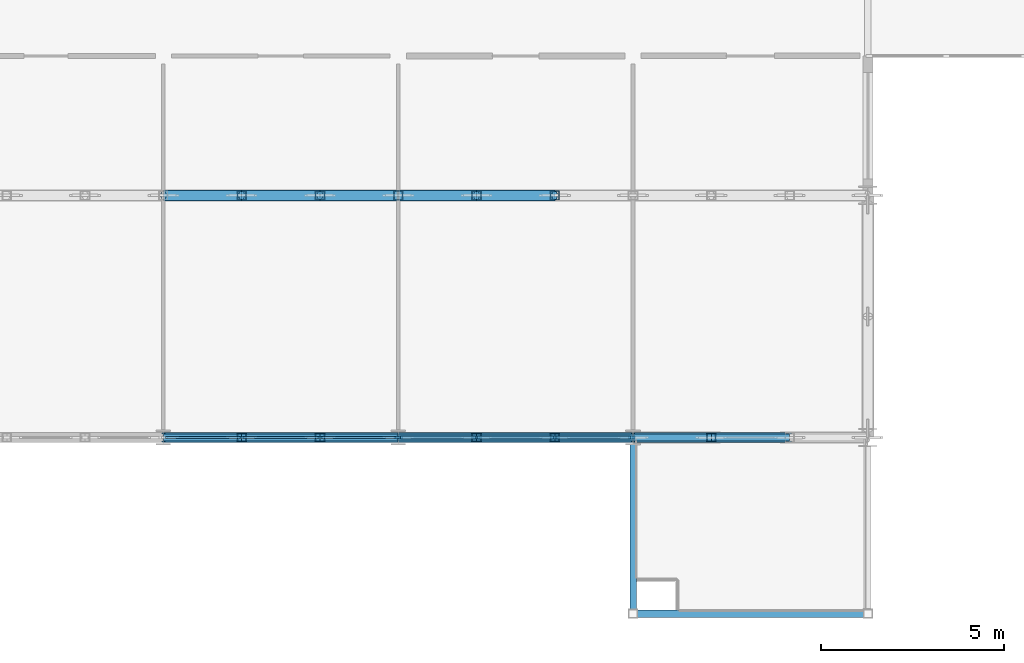
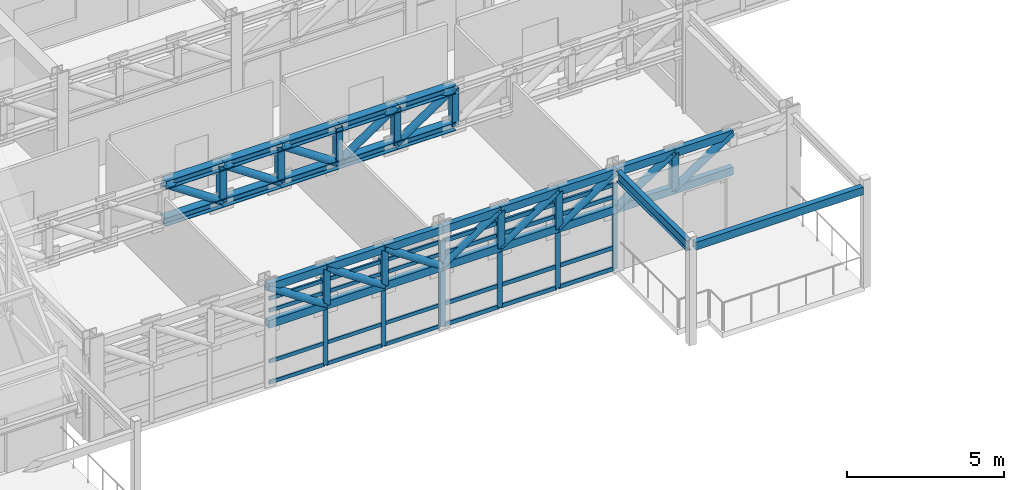
# One storey, part 64 of 144: 80 members, 2 beams, 2 elements without a shape of their own.
"""IFC4 building model written with IfcOpenShell, lengths in metres."""

from ifc_helpers import new_model, si_unit, direction, frame, origin, origin_2d, place, context, subcontext, project, spatial, rectangle, hollow_rectangle, hollow_circle, i_section, extrude, material, layer, layer_set, material_profile, profile_set, type_object, element, aggregate, save


model = new_model("IFC4")

# Units and contexts
model_context = context("Model", 3, precision=1e-05, world=origin(), true_north=direction((0.0, 1.0)))
body_context = subcontext(model_context, "Body", "Model", "MODEL_VIEW")
ifc_project = project(units=[si_unit("LENGTHUNIT", "METRE"), si_unit("AREAUNIT", "SQUARE_METRE"), si_unit("VOLUMEUNIT", "CUBIC_METRE"), si_unit("PLANEANGLEUNIT", "RADIAN"), si_unit("MASSUNIT", "GRAM", prefix="KILO")], contexts=[model_context])

# Site, building, storey
site_placement = place(None, origin())
site = spatial("IfcSite", under=ifc_project, at=site_placement, CompositionType="ELEMENT")
building_placement = place(site_placement, origin())
building = spatial("IfcBuilding", under=site, at=building_placement, Name="Trelmorton Wharf Fire Station", CompositionType="ELEMENT")
storey_placement = place(building_placement, frame((0.0, 0.0, 5.39990234375)))
storey = spatial("IfcBuildingStorey", under=building, at=storey_placement, Name="L01", CompositionType="ELEMENT", Elevation=5.39990234375)

# Beams
ifc_material_1 = material(Name="Steel Grade 350", Category="steel")
ifc_material_profile_1 = material_profile(ifc_material_1, i_section(OverallWidth=0.177978515625, OverallDepth=0.406005859375, WebThickness=0.0078125, FlangeThickness=0.0126953125, FilletRadius=0.011474609375, at=origin_2d()), Name="410UB59.7")
ifc_profile_set_1 = profile_set([ifc_material_profile_1], Name="Steel Grade 350")
beam_type_1 = type_object("IfcBeamType", Name="BM_410UB60", PredefinedType="BEAM", material=ifc_profile_set_1)
beam_1_placement = place(storey_placement, frame((77.199951171875, 3.12109375, 3.72705078125), z_axis=(0.0, 1.0, 0.0), x_axis=(-1.0, 0.0, 0.0)))
element("IfcBeam", 1, at=beam_1_placement, inside=storey, type_object=beam_type_1, Name="BM-L01-0595", PredefinedType="BEAM", context=body_context, shape_type="SweptSolid", body=[
    extrude(i_section(OverallWidth=0.177978515625, OverallDepth=0.406005859375, WebThickness=0.0078125, FlangeThickness=0.0126953125, FilletRadius=0.011474609375, at=origin_2d()), origin(), (0.0, 0.0, 1.0), 4.48291015625),
])
ifc_material_2 = material(Name="Signal-red architectural steel Grade 350", Category="steel")
ifc_material_profile_2 = material_profile(ifc_material_2, hollow_rectangle(XDim=0.199951171875, YDim=0.300048828125, WallThickness=0.012451171875, at=origin_2d()), Name="300x200x12.5RHS")
ifc_profile_set_2 = profile_set([ifc_material_profile_2], Name="Signal-red architectural steel Grade 350")
beam_type_2 = type_object("IfcBeamType", Name="BM_RED_300RHS", PredefinedType="BEAM", material=ifc_profile_set_2)
beam_2_placement = place(storey_placement, frame((77.321044921875, 3.0, 3.780029296875), z_axis=(1.0, 0.0, 0.0), x_axis=(0.0, 1.0, 0.0)))
element("IfcBeam", 2, at=beam_2_placement, inside=storey, type_object=beam_type_2, Name="BM-L01-0403", PredefinedType="BEAM", context=body_context, shape_type="SweptSolid", body=[
    extrude(hollow_rectangle(XDim=0.199951171875, YDim=0.300048828125, WallThickness=0.012451171875, at=origin_2d()), origin(), (0.0, 0.0, 1.0), 6.157958984375),
])

# Curtain wall, members
ifc_material_3 = material(Name="Anodised aluminium AW-6063", Category="aluminium")
ifc_layer = layer(ifc_material_3, 0.159912109375)
ifc_layer_set = layer_set([ifc_layer], Name="Anodised aluminium AW-6063")
curtain_wall_type = type_object("IfcCurtainWallType", Name="CW_CHIC_A", PredefinedType="USERDEFINED", material=ifc_layer_set)
curtain_wall_1_placement = place(storey_placement, origin())
curtain_wall_1 = element("IfcCurtainWall", 3, at=curtain_wall_1_placement, inside=storey, type_object=curtain_wall_type, Name="CW-V3-L01-023", ObjectType="CHICAGO BAY CURTAIN WALL", PredefinedType="USERDEFINED")
ifc_material_profile_3 = material_profile(ifc_material_3, rectangle(XDim=0.06494140625, YDim=0.159912109375, at=origin_2d()), Name="ALU-65x160")
ifc_profile_set_3 = profile_set([ifc_material_profile_3], Name="Anodised aluminium AW-6063")
member_type_1 = type_object("IfcMemberType", Name="CWM_65x160", PredefinedType="MULLION", material=ifc_profile_set_3)
member_1_placement = place(storey_placement, frame((70.764892578125, 7.800048828125, 0.0), z_axis=(0.0, 0.0, 1.0), x_axis=(0.0, -1.0, 0.0)))
member_1 = element("IfcMember", 4, at=member_1_placement, type_object=member_type_1, Name="CW1 mullion 1", PredefinedType="MULLION", context=body_context, shape_type="SweptSolid", body=[
    extrude(rectangle(XDim=0.06494140625, YDim=0.159912109375, at=origin_2d()), origin(), (0.0, 0.0, 1.0), 3.320068359375),
])
member_2_placement = place(storey_placement, frame((68.6650390625, 7.800048828125, 0.0), z_axis=(0.0, 0.0, 1.0), x_axis=(0.0, -1.0, 0.0)))
member_2 = element("IfcMember", 5, at=member_2_placement, type_object=member_type_1, Name="CW1 mullion 2", PredefinedType="MULLION", context=body_context, shape_type="SweptSolid", body=[
    extrude(rectangle(XDim=0.06494140625, YDim=0.159912109375, at=origin_2d()), origin(), (0.0, 0.0, 1.0), 3.320068359375),
])
member_3_placement = place(storey_placement, frame((66.534912109375, 7.800048828125, 0.0), z_axis=(0.0, 0.0, 1.0), x_axis=(0.0, -1.0, 0.0)))
member_3 = element("IfcMember", 6, at=member_3_placement, type_object=member_type_1, Name="CW1 mullion 3", PredefinedType="MULLION", context=body_context, shape_type="SweptSolid", body=[
    extrude(rectangle(XDim=0.06494140625, YDim=0.159912109375, at=origin_2d()), origin(), (0.0, 0.0, 1.0), 3.320068359375),
])

curtain_wall_2_placement = place(storey_placement, origin())
curtain_wall_2 = element("IfcCurtainWall", 7, at=curtain_wall_2_placement, inside=storey, type_object=curtain_wall_type, Name="CW-V3-L01-024", ObjectType="CHICAGO BAY CURTAIN WALL", PredefinedType="USERDEFINED")
ifc_material_profile_4 = material_profile(ifc_material_3, rectangle(XDim=0.074951171875, YDim=0.175048828125, at=origin_2d()), Name="ALU-75x175")
ifc_profile_set_4 = profile_set([ifc_material_profile_4], Name="Anodised aluminium AW-6063")
member_type_2 = type_object("IfcMemberType", Name="CWM_75x175", PredefinedType="MULLION", material=ifc_profile_set_4)
member_4_placement = place(storey_placement, frame((77.1650390625, 7.800048828125, 0.0), z_axis=(0.0, 0.0, 1.0), x_axis=(0.0, -1.0, 0.0)))
member_4 = element("IfcMember", 8, at=member_4_placement, type_object=member_type_2, Name="CW1 mullion 1", PredefinedType="MULLION", context=body_context, shape_type="SweptSolid", body=[
    extrude(rectangle(XDim=0.074951171875, YDim=0.175048828125, at=origin_2d()), origin(), (0.0, 0.0, 1.0), 3.320068359375),
])
member_5_placement = place(storey_placement, frame((75.06494140625, 7.800048828125, 0.0), z_axis=(0.0, 0.0, 1.0), x_axis=(0.0, -1.0, 0.0)))
member_5 = element("IfcMember", 9, at=member_5_placement, type_object=member_type_2, Name="CW1 mullion 2", PredefinedType="MULLION", context=body_context, shape_type="SweptSolid", body=[
    extrude(rectangle(XDim=0.074951171875, YDim=0.175048828125, at=origin_2d()), origin(), (0.0, 0.0, 1.0), 3.320068359375),
])
member_6_placement = place(storey_placement, frame((72.93505859375, 7.800048828125, 0.0), z_axis=(0.0, 0.0, 1.0), x_axis=(0.0, -1.0, 0.0)))
member_6 = element("IfcMember", 10, at=member_6_placement, type_object=member_type_2, Name="CW1 mullion 3", PredefinedType="MULLION", context=body_context, shape_type="SweptSolid", body=[
    extrude(rectangle(XDim=0.074951171875, YDim=0.175048828125, at=origin_2d()), origin(), (0.0, 0.0, 1.0), 3.320068359375),
])
member_7_placement = place(storey_placement, frame((70.8349609375, 7.800048828125, 0.0), z_axis=(0.0, 0.0, 1.0), x_axis=(0.0, -1.0, 0.0)))
member_7 = element("IfcMember", 11, at=member_7_placement, type_object=member_type_2, Name="CW1 mullion 4", PredefinedType="MULLION", context=body_context, shape_type="SweptSolid", body=[
    extrude(rectangle(XDim=0.074951171875, YDim=0.175048828125, at=origin_2d()), origin(), (0.0, 0.0, 1.0), 3.320068359375),
])

# Member
ifc_material_profile_5 = material_profile(ifc_material_3, rectangle(XDim=0.06494140625, YDim=0.139892578125, at=origin_2d()), Name="ALU-65x140")
ifc_profile_set_5 = profile_set([ifc_material_profile_5], Name="Anodised aluminium AW-6063")
member_type_3 = type_object("IfcMemberType", Name="CWT_65x140", PredefinedType="USERDEFINED", material=ifc_profile_set_5)
member_8_placement = place(storey_placement, frame((70.735107421875, 7.800048828125, 0.030029296875), z_axis=(-1.0, 0.0, 0.0), x_axis=(0.0, -1.0, 0.0)))
member_8 = element("IfcMember", 12, at=member_8_placement, type_object=member_type_3, Name="CW1 transom 1.1", ObjectType="TRANSOM", PredefinedType="USERDEFINED", context=body_context, shape_type="SweptSolid", body=[
    extrude(rectangle(XDim=0.06494140625, YDim=0.139892578125, at=origin_2d()), origin(), (0.0, 0.0, 1.0), 2.0400390625),
])

member_9_placement = place(storey_placement, frame((70.735107421875, 7.800048828125, 0.85009765625), z_axis=(-1.0, 0.0, 0.0), x_axis=(0.0, -1.0, 0.0)))
member_9 = element("IfcMember", 13, at=member_9_placement, type_object=member_type_3, Name="CW1 transom 1.2", ObjectType="TRANSOM", PredefinedType="USERDEFINED", context=body_context, shape_type="SweptSolid", body=[
    extrude(rectangle(XDim=0.06494140625, YDim=0.139892578125, at=origin_2d()), origin(), (0.0, 0.0, 1.0), 2.0400390625),
])

member_10_placement = place(storey_placement, frame((70.735107421875, 7.800048828125, 2.820068359375), z_axis=(-1.0, 0.0, 0.0), x_axis=(0.0, -1.0, 0.0)))
member_10 = element("IfcMember", 14, at=member_10_placement, type_object=member_type_3, Name="CW1 transom 1.3", ObjectType="TRANSOM", PredefinedType="USERDEFINED", context=body_context, shape_type="SweptSolid", body=[
    extrude(rectangle(XDim=0.06494140625, YDim=0.139892578125, at=origin_2d()), origin(), (0.0, 0.0, 1.0), 2.0400390625),
])

member_11_placement = place(storey_placement, frame((70.735107421875, 7.800048828125, 3.2900390625), z_axis=(-1.0, 0.0, 0.0), x_axis=(0.0, -1.0, 0.0)))
member_11 = element("IfcMember", 15, at=member_11_placement, type_object=member_type_3, Name="CW1 transom 1.4", ObjectType="TRANSOM", PredefinedType="USERDEFINED", context=body_context, shape_type="SweptSolid", body=[
    extrude(rectangle(XDim=0.06494140625, YDim=0.139892578125, at=origin_2d()), origin(), (0.0, 0.0, 1.0), 2.0400390625),
])

member_12_placement = place(storey_placement, frame((68.635009765625, 7.800048828125, 0.030029296875), z_axis=(-1.0, 0.0, 0.0), x_axis=(0.0, -1.0, 0.0)))
member_12 = element("IfcMember", 16, at=member_12_placement, type_object=member_type_3, Name="CW1 transom 2.1", ObjectType="TRANSOM", PredefinedType="USERDEFINED", context=body_context, shape_type="SweptSolid", body=[
    extrude(rectangle(XDim=0.06494140625, YDim=0.139892578125, at=origin_2d()), origin(), (0.0, 0.0, 1.0), 2.070068359375),
])

member_13_placement = place(storey_placement, frame((68.635009765625, 7.800048828125, 0.85009765625), z_axis=(-1.0, 0.0, 0.0), x_axis=(0.0, -1.0, 0.0)))
member_13 = element("IfcMember", 17, at=member_13_placement, type_object=member_type_3, Name="CW1 transom 2.2", ObjectType="TRANSOM", PredefinedType="USERDEFINED", context=body_context, shape_type="SweptSolid", body=[
    extrude(rectangle(XDim=0.06494140625, YDim=0.139892578125, at=origin_2d()), origin(), (0.0, 0.0, 1.0), 2.070068359375),
])

member_14_placement = place(storey_placement, frame((68.635009765625, 7.800048828125, 2.820068359375), z_axis=(-1.0, 0.0, 0.0), x_axis=(0.0, -1.0, 0.0)))
member_14 = element("IfcMember", 18, at=member_14_placement, type_object=member_type_3, Name="CW1 transom 2.3", ObjectType="TRANSOM", PredefinedType="USERDEFINED", context=body_context, shape_type="SweptSolid", body=[
    extrude(rectangle(XDim=0.06494140625, YDim=0.139892578125, at=origin_2d()), origin(), (0.0, 0.0, 1.0), 2.070068359375),
])

member_15_placement = place(storey_placement, frame((68.635009765625, 7.800048828125, 3.2900390625), z_axis=(-1.0, 0.0, 0.0), x_axis=(0.0, -1.0, 0.0)))
member_15 = element("IfcMember", 19, at=member_15_placement, type_object=member_type_3, Name="CW1 transom 2.4", ObjectType="TRANSOM", PredefinedType="USERDEFINED", context=body_context, shape_type="SweptSolid", body=[
    extrude(rectangle(XDim=0.06494140625, YDim=0.139892578125, at=origin_2d()), origin(), (0.0, 0.0, 1.0), 2.070068359375),
])

member_16_placement = place(storey_placement, frame((66.5048828125, 7.800048828125, 0.030029296875), z_axis=(-1.0, 0.0, 0.0), x_axis=(0.0, -1.0, 0.0)))
member_16 = element("IfcMember", 20, at=member_16_placement, type_object=member_type_3, Name="CW1 transom 3.1", ObjectType="TRANSOM", PredefinedType="USERDEFINED", context=body_context, shape_type="SweptSolid", body=[
    extrude(rectangle(XDim=0.06494140625, YDim=0.139892578125, at=origin_2d()), origin(), (0.0, 0.0, 1.0), 2.039794921875),
])

member_17_placement = place(storey_placement, frame((66.5048828125, 7.800048828125, 0.85009765625), z_axis=(-1.0, 0.0, 0.0), x_axis=(0.0, -1.0, 0.0)))
member_17 = element("IfcMember", 21, at=member_17_placement, type_object=member_type_3, Name="CW1 transom 3.2", ObjectType="TRANSOM", PredefinedType="USERDEFINED", context=body_context, shape_type="SweptSolid", body=[
    extrude(rectangle(XDim=0.06494140625, YDim=0.139892578125, at=origin_2d()), origin(), (0.0, 0.0, 1.0), 2.039794921875),
])

member_18_placement = place(storey_placement, frame((66.5048828125, 7.800048828125, 2.820068359375), z_axis=(-1.0, 0.0, 0.0), x_axis=(0.0, -1.0, 0.0)))
member_18 = element("IfcMember", 22, at=member_18_placement, type_object=member_type_3, Name="CW1 transom 3.3", ObjectType="TRANSOM", PredefinedType="USERDEFINED", context=body_context, shape_type="SweptSolid", body=[
    extrude(rectangle(XDim=0.06494140625, YDim=0.139892578125, at=origin_2d()), origin(), (0.0, 0.0, 1.0), 2.039794921875),
])

member_19_placement = place(storey_placement, frame((66.5048828125, 7.800048828125, 3.2900390625), z_axis=(-1.0, 0.0, 0.0), x_axis=(0.0, -1.0, 0.0)))
member_19 = element("IfcMember", 23, at=member_19_placement, type_object=member_type_3, Name="CW1 transom 3.4", ObjectType="TRANSOM", PredefinedType="USERDEFINED", context=body_context, shape_type="SweptSolid", body=[
    extrude(rectangle(XDim=0.06494140625, YDim=0.139892578125, at=origin_2d()), origin(), (0.0, 0.0, 1.0), 2.039794921875),
])

aggregate(curtain_wall_1, [member_1, member_2, member_3, member_8, member_9, member_10, member_11, member_12, member_13, member_14, member_15, member_16, member_17, member_18, member_19])

ifc_material_profile_6 = material_profile(ifc_material_3, rectangle(XDim=0.074951171875, YDim=0.155029296875, at=origin_2d()), Name="ALU-75x155")
ifc_profile_set_6 = profile_set([ifc_material_profile_6], Name="Anodised aluminium AW-6063")
member_type_4 = type_object("IfcMemberType", Name="CWT_75x155", PredefinedType="USERDEFINED", material=ifc_profile_set_6)
member_20_placement = place(storey_placement, frame((77.135009765625, 7.800048828125, 0.030029296875), z_axis=(-1.0, 0.0, 0.0), x_axis=(0.0, -1.0, 0.0)))
member_20 = element("IfcMember", 24, at=member_20_placement, type_object=member_type_4, Name="CW1 transom 1.1", ObjectType="TRANSOM", PredefinedType="USERDEFINED", context=body_context, shape_type="SweptSolid", body=[
    extrude(rectangle(XDim=0.074951171875, YDim=0.155029296875, at=origin_2d()), origin(), (0.0, 0.0, 1.0), 2.0400390625),
])

member_21_placement = place(storey_placement, frame((77.135009765625, 7.800048828125, 0.85009765625), z_axis=(-1.0, 0.0, 0.0), x_axis=(0.0, -1.0, 0.0)))
member_21 = element("IfcMember", 25, at=member_21_placement, type_object=member_type_4, Name="CW1 transom 1.2", ObjectType="TRANSOM", PredefinedType="USERDEFINED", context=body_context, shape_type="SweptSolid", body=[
    extrude(rectangle(XDim=0.074951171875, YDim=0.155029296875, at=origin_2d()), origin(), (0.0, 0.0, 1.0), 2.0400390625),
])

member_22_placement = place(storey_placement, frame((77.135009765625, 7.800048828125, 2.820068359375), z_axis=(-1.0, 0.0, 0.0), x_axis=(0.0, -1.0, 0.0)))
member_22 = element("IfcMember", 26, at=member_22_placement, type_object=member_type_4, Name="CW1 transom 1.3", ObjectType="TRANSOM", PredefinedType="USERDEFINED", context=body_context, shape_type="SweptSolid", body=[
    extrude(rectangle(XDim=0.074951171875, YDim=0.155029296875, at=origin_2d()), origin(), (0.0, 0.0, 1.0), 2.0400390625),
])

member_23_placement = place(storey_placement, frame((77.135009765625, 7.800048828125, 3.2900390625), z_axis=(-1.0, 0.0, 0.0), x_axis=(0.0, -1.0, 0.0)))
member_23 = element("IfcMember", 27, at=member_23_placement, type_object=member_type_4, Name="CW1 transom 1.4", ObjectType="TRANSOM", PredefinedType="USERDEFINED", context=body_context, shape_type="SweptSolid", body=[
    extrude(rectangle(XDim=0.074951171875, YDim=0.155029296875, at=origin_2d()), origin(), (0.0, 0.0, 1.0), 2.0400390625),
])

member_24_placement = place(storey_placement, frame((75.034912109375, 7.800048828125, 0.030029296875), z_axis=(-1.0, 0.0, 0.0), x_axis=(0.0, -1.0, 0.0)))
member_24 = element("IfcMember", 28, at=member_24_placement, type_object=member_type_4, Name="CW1 transom 2.1", ObjectType="TRANSOM", PredefinedType="USERDEFINED", context=body_context, shape_type="SweptSolid", body=[
    extrude(rectangle(XDim=0.074951171875, YDim=0.155029296875, at=origin_2d()), origin(), (0.0, 0.0, 1.0), 2.06982421875),
])

member_25_placement = place(storey_placement, frame((75.034912109375, 7.800048828125, 0.85009765625), z_axis=(-1.0, 0.0, 0.0), x_axis=(0.0, -1.0, 0.0)))
member_25 = element("IfcMember", 29, at=member_25_placement, type_object=member_type_4, Name="CW1 transom 2.2", ObjectType="TRANSOM", PredefinedType="USERDEFINED", context=body_context, shape_type="SweptSolid", body=[
    extrude(rectangle(XDim=0.074951171875, YDim=0.155029296875, at=origin_2d()), origin(), (0.0, 0.0, 1.0), 2.06982421875),
])

member_26_placement = place(storey_placement, frame((75.034912109375, 7.800048828125, 2.820068359375), z_axis=(-1.0, 0.0, 0.0), x_axis=(0.0, -1.0, 0.0)))
member_26 = element("IfcMember", 30, at=member_26_placement, type_object=member_type_4, Name="CW1 transom 2.3", ObjectType="TRANSOM", PredefinedType="USERDEFINED", context=body_context, shape_type="SweptSolid", body=[
    extrude(rectangle(XDim=0.074951171875, YDim=0.155029296875, at=origin_2d()), origin(), (0.0, 0.0, 1.0), 2.06982421875),
])

member_27_placement = place(storey_placement, frame((75.034912109375, 7.800048828125, 3.2900390625), z_axis=(-1.0, 0.0, 0.0), x_axis=(0.0, -1.0, 0.0)))
member_27 = element("IfcMember", 31, at=member_27_placement, type_object=member_type_4, Name="CW1 transom 2.4", ObjectType="TRANSOM", PredefinedType="USERDEFINED", context=body_context, shape_type="SweptSolid", body=[
    extrude(rectangle(XDim=0.074951171875, YDim=0.155029296875, at=origin_2d()), origin(), (0.0, 0.0, 1.0), 2.06982421875),
])

member_28_placement = place(storey_placement, frame((72.905029296875, 7.800048828125, 0.030029296875), z_axis=(-1.0, 0.0, 0.0), x_axis=(0.0, -1.0, 0.0)))
member_28 = element("IfcMember", 32, at=member_28_placement, type_object=member_type_4, Name="CW1 transom 3.1", ObjectType="TRANSOM", PredefinedType="USERDEFINED", context=body_context, shape_type="SweptSolid", body=[
    extrude(rectangle(XDim=0.074951171875, YDim=0.155029296875, at=origin_2d()), origin(), (0.0, 0.0, 1.0), 2.0400390625),
])

member_29_placement = place(storey_placement, frame((72.905029296875, 7.800048828125, 0.85009765625), z_axis=(-1.0, 0.0, 0.0), x_axis=(0.0, -1.0, 0.0)))
member_29 = element("IfcMember", 33, at=member_29_placement, type_object=member_type_4, Name="CW1 transom 3.2", ObjectType="TRANSOM", PredefinedType="USERDEFINED", context=body_context, shape_type="SweptSolid", body=[
    extrude(rectangle(XDim=0.074951171875, YDim=0.155029296875, at=origin_2d()), origin(), (0.0, 0.0, 1.0), 2.0400390625),
])

member_30_placement = place(storey_placement, frame((72.905029296875, 7.800048828125, 2.820068359375), z_axis=(-1.0, 0.0, 0.0), x_axis=(0.0, -1.0, 0.0)))
member_30 = element("IfcMember", 34, at=member_30_placement, type_object=member_type_4, Name="CW1 transom 3.3", ObjectType="TRANSOM", PredefinedType="USERDEFINED", context=body_context, shape_type="SweptSolid", body=[
    extrude(rectangle(XDim=0.074951171875, YDim=0.155029296875, at=origin_2d()), origin(), (0.0, 0.0, 1.0), 2.0400390625),
])

member_31_placement = place(storey_placement, frame((72.905029296875, 7.800048828125, 3.2900390625), z_axis=(-1.0, 0.0, 0.0), x_axis=(0.0, -1.0, 0.0)))
member_31 = element("IfcMember", 35, at=member_31_placement, type_object=member_type_4, Name="CW1 transom 3.4", ObjectType="TRANSOM", PredefinedType="USERDEFINED", context=body_context, shape_type="SweptSolid", body=[
    extrude(rectangle(XDim=0.074951171875, YDim=0.155029296875, at=origin_2d()), origin(), (0.0, 0.0, 1.0), 2.0400390625),
])

aggregate(curtain_wall_2, [member_4, member_5, member_6, member_7, member_20, member_21, member_22, member_23, member_24, member_25, member_26, member_27, member_28, member_29, member_30, member_31])

# Members
ifc_material_4 = material(Name="Steel C450L0 (450 MPa)", Category="steel")
ifc_material_profile_7 = material_profile(ifc_material_4, hollow_rectangle(XDim=0.199951171875, YDim=0.300048828125, WallThickness=0.012451171875, at=origin_2d()), Name="300x200x12.5RHS")
ifc_profile_set_7 = profile_set([ifc_material_profile_7], Name="Steel C450L0 (450 MPa)")
member_type_5 = type_object("IfcMemberType", Name="TR_CHORD_300RHS", PredefinedType="CHORD", material=ifc_profile_set_7)
for number, where, z_axis, x_axis, name in (
    (36, (64.39990234375, 7.800048828125, 2.35009765625), (1.0, 0.0, 0.0), (0.0, 1.0, 0.0), "Transfer Truss TT1 Bottom Chord 4"),
    (37, (64.39990234375, 7.800048828125, 3.780029296875), (1.0, 0.0, 0.0), (0.0, 1.0, 0.0), "Transfer Truss TT1 Top Chord 4"),
):
    element("IfcMember", number, at=place(storey_placement, frame(where, z_axis=z_axis, x_axis=x_axis)), inside=storey, type_object=member_type_5, Name=name, PredefinedType="CHORD", context=body_context, shape_type="SweptSolid", body=[
        extrude(hollow_rectangle(XDim=0.199951171875, YDim=0.300048828125, WallThickness=0.012451171875, at=origin_2d()), origin(), (0.0, 0.0, 1.0), 2.13330078125),
    ])
for number, where, z_axis, x_axis, name in (
    (38, (66.533203125, 7.800048828125, 2.35009765625), (1.0, 0.0, 0.0), (0.0, 1.0, 0.0), "Transfer Truss TT1 Bottom Chord 5"),
    (39, (66.533203125, 7.800048828125, 3.780029296875), (1.0, 0.0, 0.0), (0.0, 1.0, 0.0), "Transfer Truss TT1 Top Chord 5"),
):
    element("IfcMember", number, at=place(storey_placement, frame(where, z_axis=z_axis, x_axis=x_axis)), inside=storey, type_object=member_type_5, Name=name, PredefinedType="CHORD", context=body_context, shape_type="SweptSolid", body=[
        extrude(hollow_rectangle(XDim=0.199951171875, YDim=0.300048828125, WallThickness=0.012451171875, at=origin_2d()), origin(), (0.0, 0.0, 1.0), 2.133544921875),
    ])
for number, where, z_axis, x_axis, name in (
    (40, (68.666748046875, 7.800048828125, 2.35009765625), (1.0, 0.0, 0.0), (0.0, 1.0, 0.0), "Transfer Truss TT1 Bottom Chord 6"),
    (41, (68.666748046875, 7.800048828125, 3.780029296875), (1.0, 0.0, 0.0), (0.0, 1.0, 0.0), "Transfer Truss TT1 Top Chord 6"),
    (42, (70.800048828125, 7.800048828125, 2.35009765625), (1.0, 0.0, 0.0), (0.0, 1.0, 0.0), "Transfer Truss TT1 Bottom Chord 7"),
    (43, (70.800048828125, 7.800048828125, 3.780029296875), (1.0, 0.0, 0.0), (0.0, 1.0, 0.0), "Transfer Truss TT1 Top Chord 7"),
    (44, (72.933349609375, 7.800048828125, 2.35009765625), (1.0, 0.0, 0.0), (0.0, 1.0, 0.0), "Transfer Truss TT1 Bottom Chord 8"),
    (45, (72.933349609375, 7.800048828125, 3.780029296875), (1.0, 0.0, 0.0), (0.0, 1.0, 0.0), "Transfer Truss TT1 Top Chord 8"),
    (46, (75.066650390625, 7.800048828125, 2.35009765625), (1.0, 0.0, 0.0), (0.0, 1.0, 0.0), "Transfer Truss TT1 Bottom Chord 9"),
    (47, (75.066650390625, 7.800048828125, 3.780029296875), (1.0, 0.0, 0.0), (0.0, 1.0, 0.0), "Transfer Truss TT1 Top Chord 9"),
    (48, (77.199951171875, 7.800048828125, 2.35009765625), (1.0, 0.0, 0.0), (0.0, 1.0, 0.0), "Transfer Truss TT1 Bottom Chord 10"),
    (49, (77.199951171875, 7.800048828125, 3.780029296875), (1.0, 0.0, 0.0), (0.0, 1.0, 0.0), "Transfer Truss TT1 Top Chord 10"),
):
    element("IfcMember", number, at=place(storey_placement, frame(where, z_axis=z_axis, x_axis=x_axis)), inside=storey, type_object=member_type_5, Name=name, PredefinedType="CHORD", context=body_context, shape_type="SweptSolid", body=[
        extrude(hollow_rectangle(XDim=0.199951171875, YDim=0.300048828125, WallThickness=0.012451171875, at=origin_2d()), origin(), (0.0, 0.0, 1.0), 2.13330078125),
    ])
for number, where, z_axis, x_axis, name in (
    (50, (79.333251953125, 7.800048828125, 2.35009765625), (1.0, 0.0, 0.0), (0.0, 1.0, 0.0), "Transfer Truss TT1 Bottom Chord 11"),
    (51, (79.333251953125, 7.800048828125, 3.780029296875), (1.0, 0.0, 0.0), (0.0, 1.0, 0.0), "Transfer Truss TT1 Top Chord 11"),
):
    element("IfcMember", number, at=place(storey_placement, frame(where, z_axis=z_axis, x_axis=x_axis)), inside=storey, type_object=member_type_5, Name=name, PredefinedType="CHORD", context=body_context, shape_type="SweptSolid", body=[
        extrude(hollow_rectangle(XDim=0.199951171875, YDim=0.300048828125, WallThickness=0.012451171875, at=origin_2d()), origin(), (0.0, 0.0, 1.0), 2.133544921875),
    ])
ifc_material_profile_8 = material_profile(ifc_material_1, i_section(OverallWidth=0.306884765625, OverallDepth=0.31494140625, WebThickness=0.011962890625, FlangeThickness=0.018798828125, FilletRadius=0.0166015625, at=origin_2d()), Name="310UC118")
ifc_profile_set_8 = profile_set([ifc_material_profile_8], Name="Steel Grade 350")
member_type_6 = type_object("IfcMemberType", Name="TR_CHORD_310UC", PredefinedType="CHORD", material=ifc_profile_set_8)
for number, where, z_axis, x_axis, name in (
    (52, (64.39990234375, 14.39990234375, 2.35009765625), (1.0, 0.0, 0.0), (0.0, 1.0, 0.0), "Transfer Truss TT2 Bottom Chord 4"),
    (53, (64.39990234375, 14.39990234375, 3.780029296875), (1.0, 0.0, 0.0), (0.0, 1.0, 0.0), "Transfer Truss TT2 Top Chord 4"),
):
    element("IfcMember", number, at=place(storey_placement, frame(where, z_axis=z_axis, x_axis=x_axis)), inside=storey, type_object=member_type_6, Name=name, PredefinedType="CHORD", context=body_context, shape_type="SweptSolid", body=[
        extrude(i_section(OverallWidth=0.306884765625, OverallDepth=0.31494140625, WebThickness=0.011962890625, FlangeThickness=0.018798828125, FilletRadius=0.0166015625, at=origin_2d()), origin(), (0.0, 0.0, 1.0), 2.13330078125),
    ])
for number, where, z_axis, x_axis, name in (
    (54, (66.533203125, 14.39990234375, 2.35009765625), (1.0, 0.0, 0.0), (0.0, 1.0, 0.0), "Transfer Truss TT2 Bottom Chord 5"),
    (55, (66.533203125, 14.39990234375, 3.780029296875), (1.0, 0.0, 0.0), (0.0, 1.0, 0.0), "Transfer Truss TT2 Top Chord 5"),
):
    element("IfcMember", number, at=place(storey_placement, frame(where, z_axis=z_axis, x_axis=x_axis)), inside=storey, type_object=member_type_6, Name=name, PredefinedType="CHORD", context=body_context, shape_type="SweptSolid", body=[
        extrude(i_section(OverallWidth=0.306884765625, OverallDepth=0.31494140625, WebThickness=0.011962890625, FlangeThickness=0.018798828125, FilletRadius=0.0166015625, at=origin_2d()), origin(), (0.0, 0.0, 1.0), 2.133544921875),
    ])
for number, where, z_axis, x_axis, name in (
    (56, (68.666748046875, 14.39990234375, 2.35009765625), (1.0, 0.0, 0.0), (0.0, 1.0, 0.0), "Transfer Truss TT2 Bottom Chord 6"),
    (57, (68.666748046875, 14.39990234375, 3.780029296875), (1.0, 0.0, 0.0), (0.0, 1.0, 0.0), "Transfer Truss TT2 Top Chord 6"),
    (58, (70.800048828125, 14.39990234375, 2.35009765625), (1.0, 0.0, 0.0), (0.0, 1.0, 0.0), "Transfer Truss TT2 Bottom Chord 7"),
    (59, (70.800048828125, 14.39990234375, 3.780029296875), (1.0, 0.0, 0.0), (0.0, 1.0, 0.0), "Transfer Truss TT2 Top Chord 7"),
    (60, (72.933349609375, 14.39990234375, 2.35009765625), (1.0, 0.0, 0.0), (0.0, 1.0, 0.0), "Transfer Truss TT2 Bottom Chord 8"),
    (61, (72.933349609375, 14.39990234375, 3.780029296875), (1.0, 0.0, 0.0), (0.0, 1.0, 0.0), "Transfer Truss TT2 Top Chord 8"),
):
    element("IfcMember", number, at=place(storey_placement, frame(where, z_axis=z_axis, x_axis=x_axis)), inside=storey, type_object=member_type_6, Name=name, PredefinedType="CHORD", context=body_context, shape_type="SweptSolid", body=[
        extrude(i_section(OverallWidth=0.306884765625, OverallDepth=0.31494140625, WebThickness=0.011962890625, FlangeThickness=0.018798828125, FilletRadius=0.0166015625, at=origin_2d()), origin(), (0.0, 0.0, 1.0), 2.13330078125),
    ])
ifc_material_5 = material(Name="Steel C350L0 (350 MPa)", Category="steel")
ifc_material_profile_9 = material_profile(ifc_material_5, hollow_circle(Radius=0.136474609375, WallThickness=0.00927734375, at=origin_2d()), Name="273.1x9.3CHS")
ifc_profile_set_9 = profile_set([ifc_material_profile_9], Name="Steel C350L0 (350 MPa)")
member_type_7 = type_object("IfcMemberType", Name="TR_DIAG_273CHS", PredefinedType="STRUT", material=ifc_profile_set_9)
member_32_placement = place(storey_placement, frame((64.39990234375, 7.800048828125, 3.780029296875), z_axis=(0.830658305664, 0.0, -0.556782524179), x_axis=(0.0, 1.0, 0.0)))
element("IfcMember", 62, at=member_32_placement, inside=storey, type_object=member_type_7, Name="TT1-DG-4", PredefinedType="STRUT", context=body_context, shape_type="SweptSolid", body=[
    extrude(hollow_circle(Radius=0.136474609375, WallThickness=0.00927734375, at=origin_2d()), origin(), (0.0, 0.0, 1.0), 2.568115234375),
])
member_33_placement = place(storey_placement, frame((66.533203125, 7.800048828125, 3.780029296875), z_axis=(0.830687772271, 0.0, -0.556738560727), x_axis=(0.0, 1.0, 0.0)))
element("IfcMember", 63, at=member_33_placement, inside=storey, type_object=member_type_7, Name="TT1-DG-5", PredefinedType="STRUT", context=body_context, shape_type="SweptSolid", body=[
    extrude(hollow_circle(Radius=0.136474609375, WallThickness=0.00927734375, at=origin_2d()), origin(), (0.0, 0.0, 1.0), 2.568359375),
])
for number, where, z_axis, x_axis, name in (
    (64, (68.666748046875, 7.800048828125, 3.780029296875), (0.830658305664, 0.0, -0.556782524179), (0.0, 1.0, 0.0), "TT1-DG-6"),
    (65, (70.800048828125, 7.800048828125, 2.35009765625), (0.830658305664, 0.0, 0.556782524179), (0.0, 1.0, 0.0), "TT1-DG-7"),
    (66, (72.933349609375, 7.800048828125, 2.35009765625), (0.830658305664, 0.0, 0.556782524179), (0.0, 1.0, 0.0), "TT1-DG-8"),
    (67, (75.066650390625, 7.800048828125, 2.35009765625), (0.830658305664, 0.0, 0.556782524179), (0.0, 1.0, 0.0), "TT1-DG-9"),
    (68, (77.199951171875, 7.800048828125, 2.35009765625), (0.830658305664, 0.0, 0.556782524179), (0.0, 1.0, 0.0), "TT1-DG-10"),
):
    element("IfcMember", number, at=place(storey_placement, frame(where, z_axis=z_axis, x_axis=x_axis)), inside=storey, type_object=member_type_7, Name=name, PredefinedType="STRUT", context=body_context, shape_type="SweptSolid", body=[
        extrude(hollow_circle(Radius=0.136474609375, WallThickness=0.00927734375, at=origin_2d()), origin(), (0.0, 0.0, 1.0), 2.568115234375),
    ])
member_34_placement = place(storey_placement, frame((79.333251953125, 7.800048828125, 2.35009765625), z_axis=(0.830687772271, 0.0, 0.556738560727), x_axis=(0.0, 1.0, 0.0)))
element("IfcMember", 69, at=member_34_placement, inside=storey, type_object=member_type_7, Name="TT1-DG-11", PredefinedType="STRUT", context=body_context, shape_type="SweptSolid", body=[
    extrude(hollow_circle(Radius=0.136474609375, WallThickness=0.00927734375, at=origin_2d()), origin(), (0.0, 0.0, 1.0), 2.568359375),
])
member_35_placement = place(storey_placement, frame((64.39990234375, 14.39990234375, 3.780029296875), z_axis=(0.830658305664, 0.0, -0.556782524179), x_axis=(0.0, 1.0, 0.0)))
element("IfcMember", 70, at=member_35_placement, inside=storey, type_object=member_type_7, Name="TT2-DG-4", PredefinedType="STRUT", context=body_context, shape_type="SweptSolid", body=[
    extrude(hollow_circle(Radius=0.136474609375, WallThickness=0.00927734375, at=origin_2d()), origin(), (0.0, 0.0, 1.0), 2.568115234375),
])
member_36_placement = place(storey_placement, frame((66.533203125, 14.39990234375, 3.780029296875), z_axis=(0.830687772271, 0.0, -0.556738560727), x_axis=(0.0, 1.0, 0.0)))
element("IfcMember", 71, at=member_36_placement, inside=storey, type_object=member_type_7, Name="TT2-DG-5", PredefinedType="STRUT", context=body_context, shape_type="SweptSolid", body=[
    extrude(hollow_circle(Radius=0.136474609375, WallThickness=0.00927734375, at=origin_2d()), origin(), (0.0, 0.0, 1.0), 2.568359375),
])
for number, where, z_axis, x_axis, name in (
    (72, (68.666748046875, 14.39990234375, 3.780029296875), (0.830658305664, 0.0, -0.556782524179), (0.0, 1.0, 0.0), "TT2-DG-6"),
    (73, (70.800048828125, 14.39990234375, 2.35009765625), (0.830658305664, 0.0, 0.556782524179), (0.0, 1.0, 0.0), "TT2-DG-7"),
    (74, (72.933349609375, 14.39990234375, 2.35009765625), (0.830658305664, 0.0, 0.556782524179), (0.0, 1.0, 0.0), "TT2-DG-8"),
):
    element("IfcMember", number, at=place(storey_placement, frame(where, z_axis=z_axis, x_axis=x_axis)), inside=storey, type_object=member_type_7, Name=name, PredefinedType="STRUT", context=body_context, shape_type="SweptSolid", body=[
        extrude(hollow_circle(Radius=0.136474609375, WallThickness=0.00927734375, at=origin_2d()), origin(), (0.0, 0.0, 1.0), 2.568115234375),
    ])
ifc_material_profile_10 = material_profile(ifc_material_4, hollow_rectangle(XDim=0.25, YDim=0.25, WallThickness=0.012451171875, at=origin_2d()), Name="250x250x12.5SHS")
ifc_profile_set_10 = profile_set([ifc_material_profile_10], Name="Steel C450L0 (450 MPa)")
member_type_8 = type_object("IfcMemberType", Name="TR_POST_250SHS", PredefinedType="POST", material=ifc_profile_set_10)
for number, where, z_axis, x_axis, name in (
    (75, (66.533203125, 7.800048828125, 2.35009765625), (0.0, 0.0, 1.0), (1.0, 0.0, 0.0), "TT1-VP-4"),
    (76, (68.666748046875, 7.800048828125, 2.35009765625), (0.0, 0.0, 1.0), (1.0, 0.0, 0.0), "TT1-VP-5"),
    (77, (72.933349609375, 7.800048828125, 2.35009765625), (0.0, 0.0, 1.0), (1.0, 0.0, 0.0), "TT1-VP-7"),
    (78, (75.066650390625, 7.800048828125, 2.35009765625), (0.0, 0.0, 1.0), (1.0, 0.0, 0.0), "TT1-VP-8"),
    (79, (79.333251953125, 7.800048828125, 2.35009765625), (0.0, 0.0, 1.0), (1.0, 0.0, 0.0), "TT1-VP-10"),
    (80, (66.533203125, 14.39990234375, 2.35009765625), (0.0, 0.0, 1.0), (1.0, 0.0, 0.0), "TT2-VP-4"),
    (81, (68.666748046875, 14.39990234375, 2.35009765625), (0.0, 0.0, 1.0), (1.0, 0.0, 0.0), "TT2-VP-5"),
    (82, (70.800048828125, 14.39990234375, 2.35009765625), (0.0, 0.0, 1.0), (1.0, 0.0, 0.0), "TT2-VP-6"),
    (83, (72.933349609375, 14.39990234375, 2.35009765625), (0.0, 0.0, 1.0), (1.0, 0.0, 0.0), "TT2-VP-7"),
    (84, (75.066650390625, 14.39990234375, 2.35009765625), (0.0, 0.0, 1.0), (1.0, 0.0, 0.0), "TT2-VP-8"),
):
    element("IfcMember", number, at=place(storey_placement, frame(where, z_axis=z_axis, x_axis=x_axis)), inside=storey, type_object=member_type_8, Name=name, PredefinedType="POST", context=body_context, shape_type="SweptSolid", body=[
        extrude(hollow_rectangle(XDim=0.25, YDim=0.25, WallThickness=0.012451171875, at=origin_2d()), origin(), (0.0, 0.0, 1.0), 1.429931640625),
    ])

save(model, "model.ifc")
